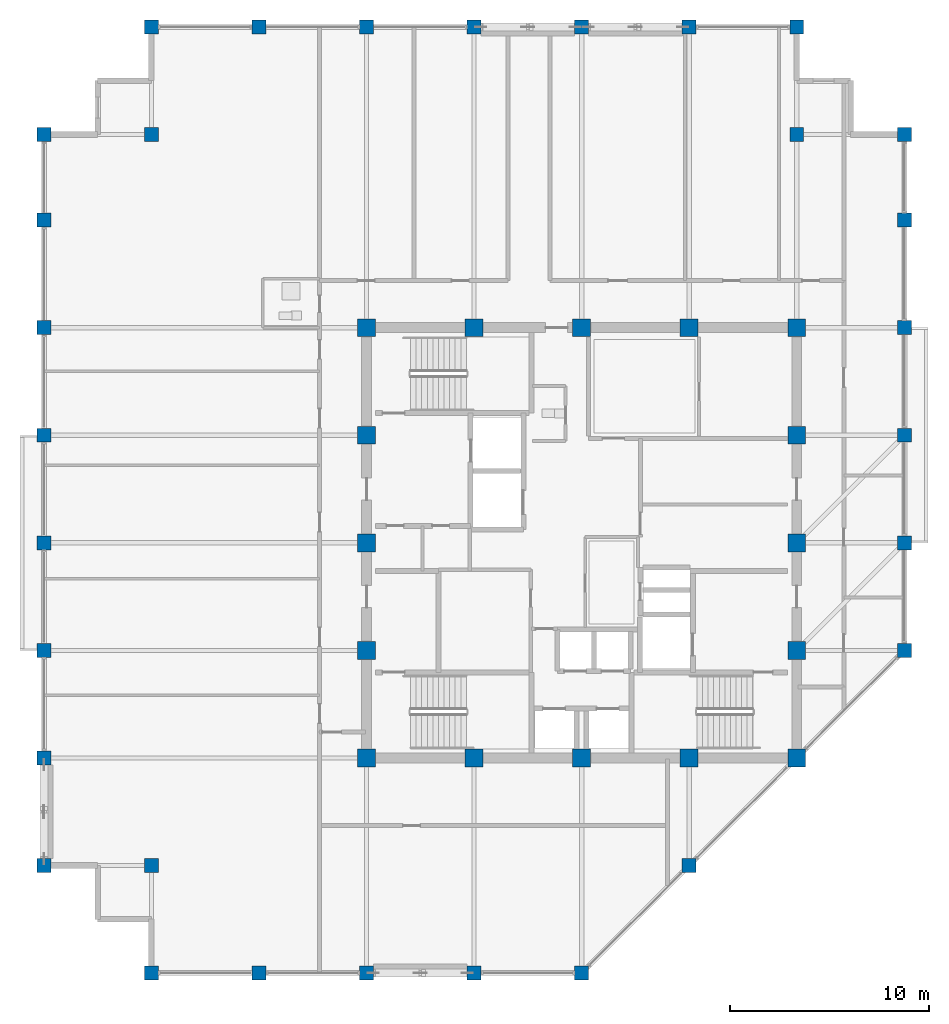
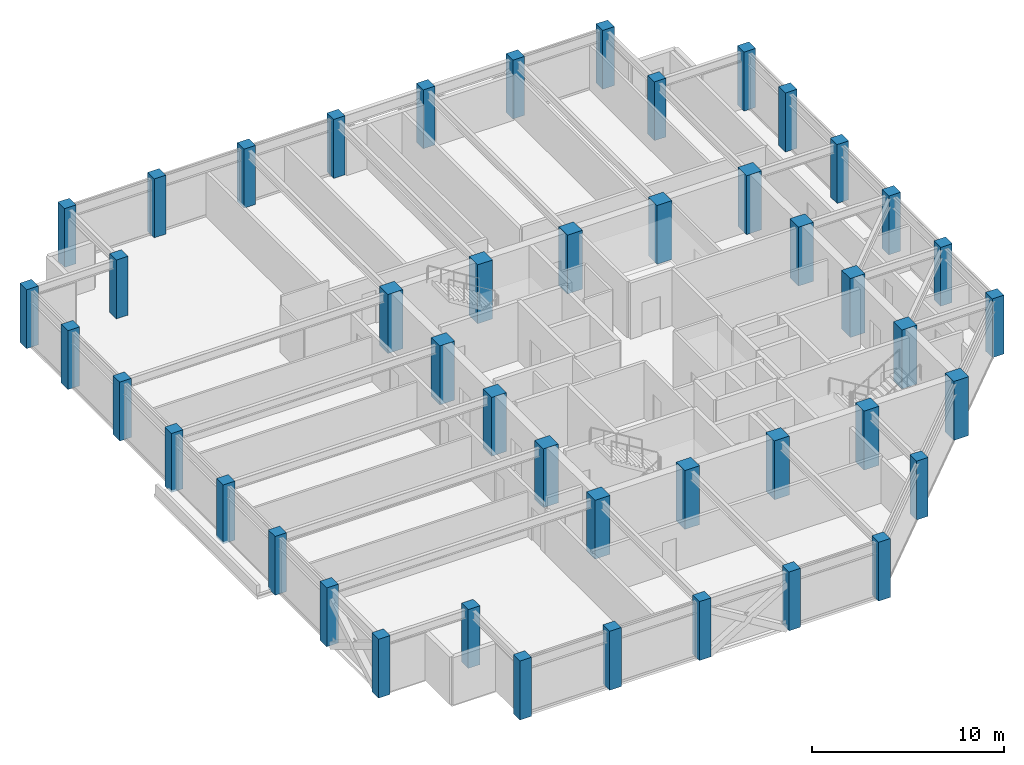
# One storey, part 1 of 30: 46 columns.
"""IFC4 building model written with IfcOpenShell, lengths in metres."""

import ifcopenshell
import ifcopenshell.guid

model = None  # the IFC model being written
_history = None  # IfcOwnerHistory: only IFC2X3 demands one
_inside = {}  # id of a spatial element -> (the spatial element, [elements in it])
_under = {}  # id of a project, library or spatial element -> (it, [spatial elements below it])
_declared = {}  # id of a project -> (the project, [libraries it declares])
_typed = {}  # id of a type object -> (the type object, [elements of that type])
_made_of = {}  # id of a material, layer set ... -> (it, [elements and type objects made of it])


def new_model(schema):
    """Start an empty IFC model of exactly this schema.

    Asked for "IFC4X3", IfcOpenShell would pick the latest addendum, in which some entities
    have other attributes; the version numbers below select the first issue.
    IFC2X3 requires an IfcOwnerHistory on every rooted entity: one is made here for all.
    """
    global model, _history
    if schema == "IFC4X3":
        model = ifcopenshell.file(schema_version=(4, 3, 0, 0))
    else:
        model = ifcopenshell.file(schema=schema)
    _inside.clear()
    _under.clear()
    _declared.clear()
    _typed.clear()
    _made_of.clear()
    _history = None
    if model.schema == "IFC2X3":
        org = make("IfcOrganization", Name="unknown")
        user = make(
            "IfcPersonAndOrganization",
            ThePerson=make("IfcPerson", FamilyName="unknown"),
            TheOrganization=org,
        )
        app = make(
            "IfcApplication",
            ApplicationDeveloper=org,
            Version="unknown",
            ApplicationFullName="unknown",
            ApplicationIdentifier="unknown",
        )
        _history = make(
            "IfcOwnerHistory",
            OwningUser=user,
            OwningApplication=app,
            ChangeAction="ADDED",
            CreationDate=0,
        )
    return model


def make(cls, **values):
    """One entity of the class cls with the attributes given. An attribute that is None is left unset."""
    return model.create_entity(
        cls, **{name: value for name, value in values.items() if value is not None}
    )


def rooted(cls, **values):
    """An entity with a GlobalId (a new one), such as an element, a storey or a relation."""
    return make(cls, GlobalId=ifcopenshell.guid.new(), OwnerHistory=_history, **values)


def si_unit(unit_type, name, prefix=None):
    """IfcSIUnit, for example si_unit("LENGTHUNIT", "METRE", prefix="MILLI")."""
    return make("IfcSIUnit", UnitType=unit_type, Prefix=prefix, Name=name)


def assignment(units):
    """IfcUnitAssignment: the units of a project."""
    return None if units is None else make("IfcUnitAssignment", Units=units)


def point(xyz):
    """IfcCartesianPoint."""
    return None if xyz is None else make("IfcCartesianPoint", Coordinates=xyz)


def direction(xyz):
    """IfcDirection."""
    return None if xyz is None else make("IfcDirection", DirectionRatios=xyz)


def frame(location, z_axis=None, x_axis=None):
    """IfcAxis2Placement3D, a coordinate frame: its origin and axes. An axis left out is left unset."""
    return make(
        "IfcAxis2Placement3D",
        Location=point(location),
        Axis=direction(z_axis),
        RefDirection=direction(x_axis),
    )


def frame_2d(location, x_axis=None):
    """IfcAxis2Placement2D, a coordinate frame in the plane: its origin and x axis."""
    return make(
        "IfcAxis2Placement2D", Location=point(location), RefDirection=direction(x_axis)
    )


def origin():
    """The frame at (0, 0, 0) with its axes left unset."""
    return frame((0.0, 0.0, 0.0))


def origin_2d():
    """The frame at (0, 0) in the plane with its x axis left unset."""
    return frame_2d((0.0, 0.0))


def place(relative_to, where):
    """IfcLocalPlacement: puts the frame where relative to a parent placement (None: the world)."""
    return make(
        "IfcLocalPlacement", PlacementRelTo=relative_to, RelativePlacement=where
    )


def context(
    kind, dimensions, precision=None, world=None, true_north=None, identifier=None
):
    """IfcGeometricRepresentationContext, for example the 3D "Model" context."""
    return make(
        "IfcGeometricRepresentationContext",
        ContextIdentifier=identifier,
        ContextType=kind,
        CoordinateSpaceDimension=dimensions,
        Precision=precision,
        WorldCoordinateSystem=world,
        TrueNorth=true_north,
    )


def subcontext(parent, identifier, kind, view, scale=None):
    """IfcGeometricRepresentationSubContext, for example "Body" below "Model"."""
    return make(
        "IfcGeometricRepresentationSubContext",
        ContextIdentifier=identifier,
        ContextType=kind,
        ParentContext=parent,
        TargetScale=scale,
        TargetView=view,
    )


def project(units=None, contexts=None):
    """IfcProject with its units and contexts."""
    return rooted(
        "IfcProject",
        Name="project",
        RepresentationContexts=contexts,
        UnitsInContext=assignment(units),
    )


def spatial(cls, under=None, at=None, **own):
    """A site, building, storey or space (cls), placed at a placement, below another one or the project."""
    s = rooted(cls, ObjectPlacement=at, **own)
    if under is not None:
        _under.setdefault(under.id(), (under, []))[1].append(s)
    return s


def profile(cls, at=None, kind="AREA", **sizes):
    """A parametric profile (cls). Its sizes go by their IFC names, for example OverallWidth=200.0."""
    return make(cls, ProfileType=kind, Position=at, **sizes)


def rectangle(**sizes):
    """IfcRectangleProfileDef."""
    return profile("IfcRectangleProfileDef", **sizes)


def extrude(swept, where, along, depth):
    """IfcExtrudedAreaSolid: the profile swept, set in the frame where, extruded along a direction by depth."""
    return make(
        "IfcExtrudedAreaSolid",
        SweptArea=swept,
        Position=where,
        ExtrudedDirection=direction(along),
        Depth=depth,
    )


def shape(context_of_items, identifier, shape_type, items):
    """IfcShapeRepresentation: the items that make up one representation, for example the "Body"."""
    return make(
        "IfcShapeRepresentation",
        ContextOfItems=context_of_items,
        RepresentationIdentifier=identifier,
        RepresentationType=shape_type,
        Items=items,
    )


def material(Name=None, Category=None):
    """IfcMaterial."""
    return make("IfcMaterial", Name=Name, Category=Category)


def material_profile(
    of_material, cross_section, Name=None, Category=None, Priority=None
):
    """IfcMaterialProfile: a cross section and its material."""
    return make(
        "IfcMaterialProfile",
        Name=Name,
        Material=of_material,
        Profile=cross_section,
        Priority=Priority,
        Category=Category,
    )


def profile_set(profiles, Name=None, composite=None):
    """IfcMaterialProfileSet."""
    return make(
        "IfcMaterialProfileSet",
        Name=Name,
        MaterialProfiles=profiles,
        CompositeProfile=composite,
    )


def made_of(thing, what):
    """Note that an element or type object is made of a material, layer set ...; save() writes the relation."""
    if what is not None:
        _made_of.setdefault(what.id(), (what, []))[1].append(thing)
    return thing


def type_object(cls, material=None, **own):
    """A type object (cls), such as IfcWallType, which elements share."""
    return made_of(rooted(cls, **own), material)


def element(
    cls,
    number,
    at=None,
    inside=None,
    cuts=None,
    type_object=None,
    material=None,
    context=None,
    identifier="Body",
    shape_type=None,
    held_by="IfcProductDefinitionShape",
    body=None,
    shapes=None,
    **own,
):
    """One element of the class cls, such as IfcWall. Its Tag is "e" and its number.

    at: its placement. inside: the storey or other place that contains it. cuts: it is an
    opening in that element (IfcRelVoidsElement). A single representation is given by context,
    identifier, shape_type and body (its items); several are given by shapes. held_by: the class
    of the entity that holds the representations. save() writes the other relations.
    """
    e = rooted(cls, Tag="e%d" % number, ObjectPlacement=at, **own)
    if body is not None:
        shapes = [shape(context, identifier, shape_type, body)]
    if shapes is not None:
        e.Representation = make(held_by, Representations=shapes)
    if inside is not None:
        _inside.setdefault(inside.id(), (inside, []))[1].append(e)
    if cuts is not None:
        rooted(
            "IfcRelVoidsElement", RelatingBuildingElement=cuts, RelatedOpeningElement=e
        )
    if type_object is not None:
        _typed.setdefault(type_object.id(), (type_object, []))[1].append(e)
    return made_of(e, material)


def aggregate(whole, parts):
    """IfcRelAggregates: a whole, such as a stair, and the parts it consists of."""
    return rooted("IfcRelAggregates", RelatingObject=whole, RelatedObjects=parts)


def save(model, path):
    """Write the relations noted so far, then the file.

    IfcRelAggregates (storeys below a building ...), IfcRelContainedInSpatialStructure (elements
    in a storey), IfcRelDefinesByType, IfcRelAssociatesMaterial and IfcRelDeclares: one each for
    every whole, place, type object, material and project.
    """
    for whole, parts in _under.values():
        aggregate(whole, parts)
    for where, things in _inside.values():
        rooted(
            "IfcRelContainedInSpatialStructure",
            RelatedElements=things,
            RelatingStructure=where,
        )
    for kind, things in _typed.values():
        rooted("IfcRelDefinesByType", RelatedObjects=things, RelatingType=kind)
    for what, things in _made_of.values():
        rooted("IfcRelAssociatesMaterial", RelatedObjects=things, RelatingMaterial=what)
    for by, libraries in _declared.values():
        rooted("IfcRelDeclares", RelatingContext=by, RelatedDefinitions=libraries)
    model.write(path)


model = new_model("IFC4")

# Units and contexts
model_context = context("Model", 3, precision=1e-05, world=origin(), true_north=direction((0.0, 1.0)))
body_context = subcontext(model_context, "Body", "Model", "MODEL_VIEW")
ifc_project = project(units=[si_unit("LENGTHUNIT", "METRE"), si_unit("AREAUNIT", "SQUARE_METRE"), si_unit("VOLUMEUNIT", "CUBIC_METRE"), si_unit("PLANEANGLEUNIT", "RADIAN"), si_unit("MASSUNIT", "GRAM", prefix="KILO")], contexts=[model_context])

# Site, building, storey
site_placement = place(None, origin())
site = spatial("IfcSite", under=ifc_project, at=site_placement, CompositionType="ELEMENT")
building_placement = place(site_placement, origin())
building = spatial("IfcBuilding", under=site, at=building_placement, Name="Surkhivell Harbour Commons", CompositionType="ELEMENT")
storey_placement = place(building_placement, frame((0.0, 0.0, 281.25)))
storey = spatial("IfcBuildingStorey", under=building, at=storey_placement, Name="L73", CompositionType="ELEMENT", Elevation=281.25)

# Columns
ifc_material_1 = material(Name="Concrete C60/75", Category="concrete")
ifc_material_profile_1 = material_profile(ifc_material_1, rectangle(XDim=0.89990234375, YDim=0.89990234375, at=origin_2d()), Name="RC-COL-900x900")
ifc_profile_set_1 = profile_set([ifc_material_profile_1], Name="Concrete C60/75")
column_type_1 = type_object("IfcColumnType", Name="COL-TUBE-Z3A", PredefinedType="COLUMN", material=ifc_profile_set_1)
for number, where, z_axis, x_axis, name in (
    (1, (-10.800048828125, -10.800048828125, 0.0), (0.0, 0.0, 1.0), (1.0, 0.0, 0.0), "L73 Column CT-3A (-10.8,-10.8)"),
    (2, (-10.800048828125, -5.39990234375, 0.0), (0.0, 0.0, 1.0), (1.0, 0.0, 0.0), "L73 Column CT-3A (-10.8,-5.4)"),
    (3, (-10.800048828125, 0.0, 0.0), (0.0, 0.0, 1.0), (1.0, 0.0, 0.0), "L73 Column CT-3A (-10.8,0.0)"),
    (4, (-10.800048828125, 5.39990234375, 0.0), (0.0, 0.0, 1.0), (1.0, 0.0, 0.0), "L73 Column CT-3A (-10.8,5.4)"),
    (5, (-10.800048828125, 10.800048828125, 0.0), (0.0, 0.0, 1.0), (1.0, 0.0, 0.0), "L73 Column CT-3A (-10.8,10.8)"),
    (6, (-5.39990234375, -10.800048828125, 0.0), (0.0, 0.0, 1.0), (1.0, 0.0, 0.0), "L73 Column CT-3A (-5.4,-10.8)"),
    (7, (-5.39990234375, 10.800048828125, 0.0), (0.0, 0.0, 1.0), (1.0, 0.0, 0.0), "L73 Column CT-3A (-5.4,10.8)"),
    (8, (0.0, -10.800048828125, 0.0), (0.0, 0.0, 1.0), (1.0, 0.0, 0.0), "L73 Column CT-3A (0.0,-10.8)"),
    (9, (0.0, 10.800048828125, 0.0), (0.0, 0.0, 1.0), (1.0, 0.0, 0.0), "L73 Column CT-3A (0.0,10.8)"),
    (10, (5.39990234375, -10.800048828125, 0.0), (0.0, 0.0, 1.0), (1.0, 0.0, 0.0), "L73 Column CT-3A (5.4,-10.8)"),
    (11, (5.39990234375, 10.800048828125, 0.0), (0.0, 0.0, 1.0), (1.0, 0.0, 0.0), "L73 Column CT-3A (5.4,10.8)"),
    (12, (10.800048828125, -10.800048828125, 0.0), (0.0, 0.0, 1.0), (1.0, 0.0, 0.0), "L73 Column CT-3A (10.8,-10.8)"),
    (13, (10.800048828125, -5.39990234375, 0.0), (0.0, 0.0, 1.0), (1.0, 0.0, 0.0), "L73 Column CT-3A (10.8,-5.4)"),
    (14, (10.800048828125, 0.0, 0.0), (0.0, 0.0, 1.0), (1.0, 0.0, 0.0), "L73 Column CT-3A (10.8,0.0)"),
    (15, (10.800048828125, 5.39990234375, 0.0), (0.0, 0.0, 1.0), (1.0, 0.0, 0.0), "L73 Column CT-3A (10.8,5.4)"),
    (16, (10.800048828125, 10.800048828125, 0.0), (0.0, 0.0, 1.0), (1.0, 0.0, 0.0), "L73 Column CT-3A (10.8,10.8)"),
):
    element("IfcColumn", number, at=place(storey_placement, frame(where, z_axis=z_axis, x_axis=x_axis)), inside=storey, type_object=column_type_1, Name=name, PredefinedType="COLUMN", context=body_context, shape_type="SweptSolid", body=[
        extrude(rectangle(XDim=0.89990234375, YDim=0.89990234375, at=origin_2d()), origin(), (0.0, 0.0, 1.0), 3.75),
    ])
ifc_material_2 = material(Name="Concrete C50/60", Category="concrete")
ifc_material_profile_2 = material_profile(ifc_material_2, rectangle(XDim=0.699951171875, YDim=0.699951171875, at=origin_2d()), Name="RC-COL-700x700")
ifc_profile_set_2 = profile_set([ifc_material_profile_2], Name="Concrete C50/60")
column_type_2 = type_object("IfcColumnType", Name="COL-TUBE-Z4", PredefinedType="COLUMN", material=ifc_profile_set_2)
for number, where, z_axis, x_axis, name in (
    (17, (-27.0, -16.199951171875, 0.0), (0.0, 0.0, 1.0), (1.0, 0.0, 0.0), "L73 Column CT-4 (-27.0,-16.2)"),
    (18, (-27.0, -10.800048828125, 0.0), (0.0, 0.0, 1.0), (1.0, 0.0, 0.0), "L73 Column CT-4 (-27.0,-10.8)"),
    (19, (-27.0, -5.39990234375, 0.0), (0.0, 0.0, 1.0), (1.0, 0.0, 0.0), "L73 Column CT-4 (-27.0,-5.4)"),
    (20, (-27.0, 0.0, 0.0), (0.0, 0.0, 1.0), (1.0, 0.0, 0.0), "L73 Column CT-4 (-27.0,0.0)"),
    (21, (-27.0, 5.39990234375, 0.0), (0.0, 0.0, 1.0), (1.0, 0.0, 0.0), "L73 Column CT-4 (-27.0,5.4)"),
    (22, (-27.0, 10.800048828125, 0.0), (0.0, 0.0, 1.0), (1.0, 0.0, 0.0), "L73 Column CT-4 (-27.0,10.8)"),
    (23, (-27.0, 16.199951171875, 0.0), (0.0, 0.0, 1.0), (1.0, 0.0, 0.0), "L73 Column CT-4 (-27.0,16.2)"),
    (24, (-27.0, 20.5, 0.0), (0.0, 0.0, 1.0), (1.0, 0.0, 0.0), "L73 Column CT-4 (-27.0,20.5)"),
    (25, (-21.60009765625, -21.60009765625, 0.0), (0.0, 0.0, 1.0), (1.0, 0.0, 0.0), "L73 Column CT-4 (-21.6,-21.6)"),
    (26, (-21.60009765625, -16.199951171875, 0.0), (0.0, 0.0, 1.0), (1.0, 0.0, 0.0), "L73 Column CT-4 (-21.6,-16.2)"),
    (27, (-21.60009765625, 20.5, 0.0), (0.0, 0.0, 1.0), (1.0, 0.0, 0.0), "L73 Column CT-4 (-21.6,20.5)"),
    (28, (-21.60009765625, 25.89990234375, 0.0), (0.0, 0.0, 1.0), (1.0, 0.0, 0.0), "L73 Column CT-4 (-21.6,25.9)"),
    (29, (-16.199951171875, -21.60009765625, 0.0), (0.0, 0.0, 1.0), (1.0, 0.0, 0.0), "L73 Column CT-4 (-16.2,-21.6)"),
    (30, (-16.199951171875, 25.89990234375, 0.0), (0.0, 0.0, 1.0), (1.0, 0.0, 0.0), "L73 Column CT-4 (-16.2,25.9)"),
    (31, (-10.800048828125, -21.60009765625, 0.0), (0.0, 0.0, 1.0), (1.0, 0.0, 0.0), "L73 Column CT-4 (-10.8,-21.6)"),
    (32, (-10.800048828125, 25.89990234375, 0.0), (0.0, 0.0, 1.0), (1.0, 0.0, 0.0), "L73 Column CT-4 (-10.8,25.9)"),
    (33, (-5.39990234375, -21.60009765625, 0.0), (0.0, 0.0, 1.0), (1.0, 0.0, 0.0), "L73 Column CT-4 (-5.4,-21.6)"),
    (34, (-5.39990234375, 25.89990234375, 0.0), (0.0, 0.0, 1.0), (1.0, 0.0, 0.0), "L73 Column CT-4 (-5.4,25.9)"),
    (35, (0.0, -21.60009765625, 0.0), (0.0, 0.0, 1.0), (1.0, 0.0, 0.0), "L73 Column CT-4 (-0.0,-21.6)"),
    (36, (0.0, 25.89990234375, 0.0), (0.0, 0.0, 1.0), (1.0, 0.0, 0.0), "L73 Column CT-4 (-0.0,25.9)"),
    (37, (5.39990234375, -16.199951171875, 0.0), (0.0, 0.0, 1.0), (1.0, 0.0, 0.0), "L73 Column CT-4 (5.4,-16.2)"),
    (38, (5.39990234375, 25.89990234375, 0.0), (0.0, 0.0, 1.0), (1.0, 0.0, 0.0), "L73 Column CT-4 (5.4,25.9)"),
    (39, (10.800048828125, 20.5, 0.0), (0.0, 0.0, 1.0), (1.0, 0.0, 0.0), "L73 Column CT-4 (10.8,20.5)"),
    (40, (10.800048828125, 25.89990234375, 0.0), (0.0, 0.0, 1.0), (1.0, 0.0, 0.0), "L73 Column CT-4 (10.8,25.9)"),
    (41, (16.199951171875, -5.39990234375, 0.0), (0.0, 0.0, 1.0), (1.0, 0.0, 0.0), "L73 Column CT-4 (16.2,-5.4)"),
    (42, (16.199951171875, 0.0, 0.0), (0.0, 0.0, 1.0), (1.0, 0.0, 0.0), "L73 Column CT-4 (16.2,0.0)"),
    (43, (16.199951171875, 5.39990234375, 0.0), (0.0, 0.0, 1.0), (1.0, 0.0, 0.0), "L73 Column CT-4 (16.2,5.4)"),
    (44, (16.199951171875, 10.800048828125, 0.0), (0.0, 0.0, 1.0), (1.0, 0.0, 0.0), "L73 Column CT-4 (16.2,10.8)"),
    (45, (16.199951171875, 16.199951171875, 0.0), (0.0, 0.0, 1.0), (1.0, 0.0, 0.0), "L73 Column CT-4 (16.2,16.2)"),
    (46, (16.199951171875, 20.5, 0.0), (0.0, 0.0, 1.0), (1.0, 0.0, 0.0), "L73 Column CT-4 (16.2,20.5)"),
):
    element("IfcColumn", number, at=place(storey_placement, frame(where, z_axis=z_axis, x_axis=x_axis)), inside=storey, type_object=column_type_2, Name=name, PredefinedType="COLUMN", context=body_context, shape_type="SweptSolid", body=[
        extrude(rectangle(XDim=0.699951171875, YDim=0.699951171875, at=origin_2d()), origin(), (0.0, 0.0, 1.0), 3.75),
    ])

save(model, "model.ifc")
